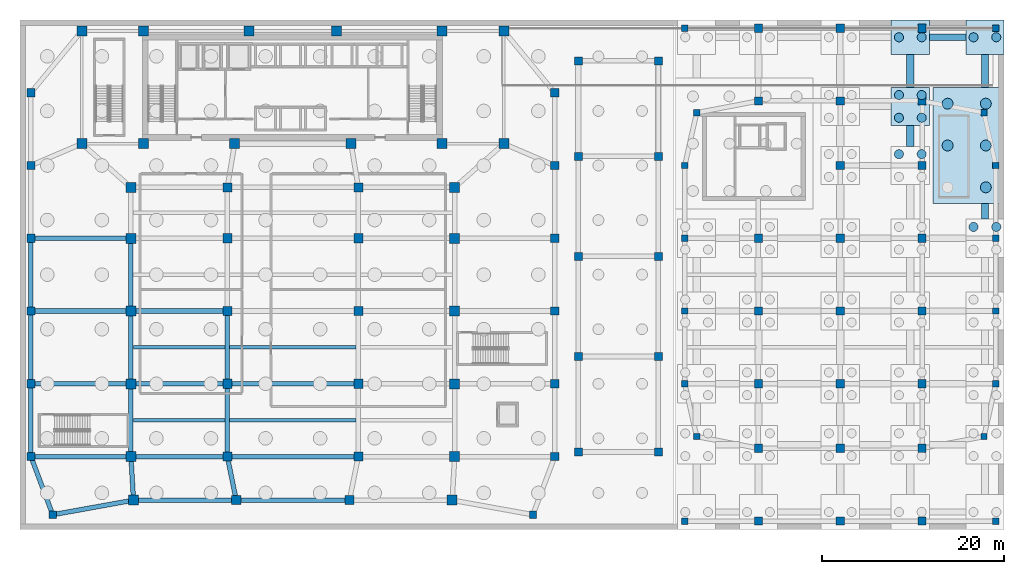
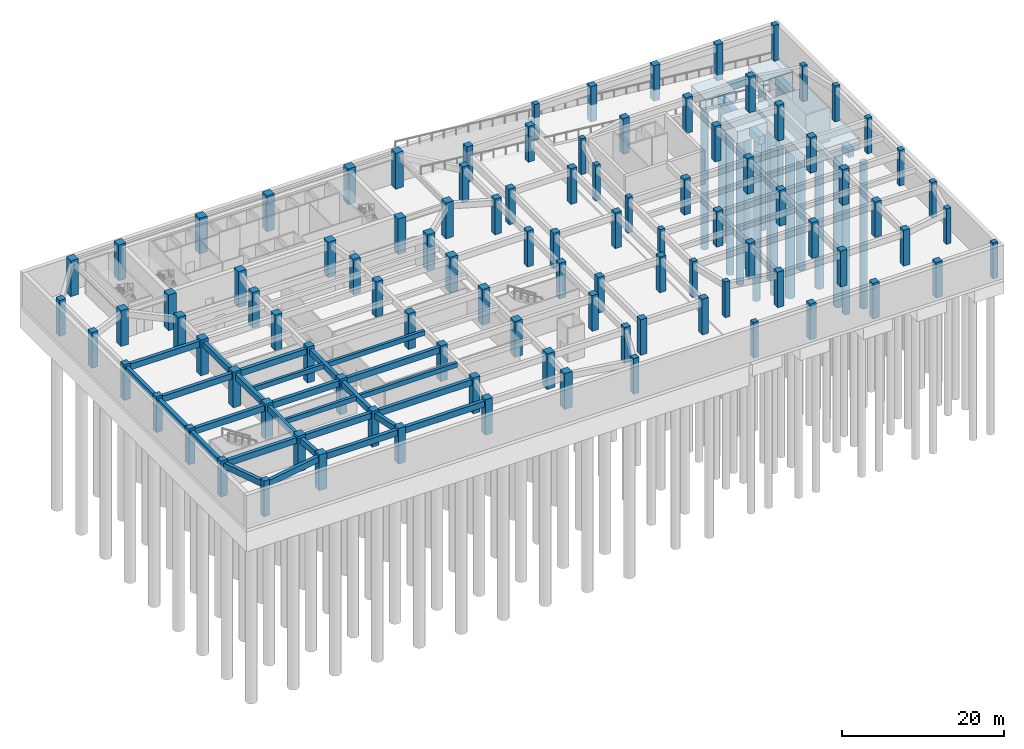
# One storey, part 3 of 18: 99 columns, 27 beams, 17 piles, 9 footings.
"""IFC4 building model written with IfcOpenShell, lengths in metres."""

from ifc_helpers import new_model, si_unit, direction, frame, origin, origin_2d, place, context, subcontext, project, spatial, polyline, rectangle, circle, outline, extrude, material, layer, layer_set, material_profile, profile_set, type_object, element, save


model = new_model("IFC4")

# Units and contexts
model_context = context("Model", 3, precision=1e-05, world=origin(), true_north=direction((0.0, 1.0)))
body_context = subcontext(model_context, "Body", "Model", "MODEL_VIEW")
ifc_project = project(units=[si_unit("LENGTHUNIT", "METRE"), si_unit("AREAUNIT", "SQUARE_METRE"), si_unit("VOLUMEUNIT", "CUBIC_METRE"), si_unit("PLANEANGLEUNIT", "RADIAN"), si_unit("MASSUNIT", "GRAM", prefix="KILO")], contexts=[model_context])

# Site, building, storey
site_placement = place(None, origin())
site = spatial("IfcSite", under=ifc_project, at=site_placement, CompositionType="ELEMENT")
building_placement = place(site_placement, origin())
building = spatial("IfcBuilding", under=site, at=building_placement, Name="Saevonmaru Cultural Tower", CompositionType="ELEMENT")
storey_placement = place(building_placement, frame((0.0, 0.0, -10.800048828125)))
storey = spatial("IfcBuildingStorey", under=building, at=storey_placement, Name="B2", CompositionType="ELEMENT", Elevation=-10.800048828125)

# Footings
ifc_material_1 = material(Name="Concrete C50/60", Category="concrete")
footing_type_1 = type_object("IfcFootingType", Name="FT-GB-800x1200", PredefinedType="STRIP_FOOTING", material=ifc_material_1)
footing_1_placement = place(storey_placement, frame((0.0, 0.0, -1.64990234375)))
element("IfcFooting", 1, at=footing_1_placement, inside=storey, type_object=footing_type_1, Name="Ground beam GB-23 Grid 12/F-G", PredefinedType="STRIP_FOOTING", context=body_context, shape_type="SweptSolid", body=[
    extrude(outline(polyline([(97.5, 42.10009765625), (98.300048828125, 42.10009765625), (98.300048828125, 44.39990234375), (97.5, 44.39990234375), (97.5, 42.10009765625)])), origin(), (0.0, 0.0, 1.0), 1.199951171875),
])
footing_2_placement = place(storey_placement, frame((0.0, 0.0, -1.64990234375)))
element("IfcFooting", 2, at=footing_2_placement, inside=storey, type_object=footing_type_1, Name="Ground beam GB-24 Grid 12/G-H", PredefinedType="STRIP_FOOTING", context=body_context, shape_type="SweptSolid", body=[
    extrude(outline(polyline([(97.5, 48.60009765625), (98.300048828125, 48.60009765625), (98.300048828125, 52.199951171875), (97.5, 52.199951171875), (97.5, 48.60009765625)])), origin(), (0.0, 0.0, 1.0), 1.199951171875),
])
footing_3_placement = place(storey_placement, frame((0.0, 0.0, -1.64990234375)))
element("IfcFooting", 3, at=footing_3_placement, inside=storey, type_object=footing_type_1, Name="Ground beam GB-29 Grid 13/E-F", PredefinedType="STRIP_FOOTING", context=body_context, shape_type="SweptSolid", body=[
    extrude(outline(polyline([(105.699951171875, 34.10009765625), (106.5, 34.10009765625), (106.5, 35.800048828125), (105.699951171875, 35.800048828125), (105.699951171875, 34.10009765625)])), origin(), (0.0, 0.0, 1.0), 1.199951171875),
])
footing_4_placement = place(storey_placement, frame((0.0, 0.0, -1.64990234375)))
element("IfcFooting", 4, at=footing_4_placement, inside=storey, type_object=footing_type_1, Name="Ground beam GB-30 Grid 13/G-H", PredefinedType="STRIP_FOOTING", context=body_context, shape_type="SweptSolid", body=[
    extrude(outline(polyline([(105.699951171875, 48.60009765625), (106.5, 48.60009765625), (106.5, 52.199951171875), (105.699951171875, 52.199951171875), (105.699951171875, 48.60009765625)])), origin(), (0.0, 0.0, 1.0), 1.199951171875),
])
ifc_layer_1 = layer(ifc_material_1, 1.800048828125, Name="Concrete C50/60")
ifc_layer_set_1 = layer_set([ifc_layer_1], Name="Concrete C50/60")
footing_type_2 = type_object("IfcFootingType", Name="FT-LCAP-4200", PredefinedType="PILE_CAP", material=ifc_layer_set_1)
footing_5_placement = place(storey_placement, frame((97.89990234375, 46.5, -2.25), z_axis=(0.0, 0.0, 1.0), x_axis=(1.0, 0.0, 0.0)))
element("IfcFooting", 5, at=footing_5_placement, inside=storey, type_object=footing_type_2, Name="Pile cap 12/G", PredefinedType="PILE_CAP", context=body_context, shape_type="SweptSolid", body=[
    extrude(rectangle(XDim=4.199951171875, YDim=4.199951171875, at=origin_2d()), origin(), (0.0, 0.0, 1.0), 1.800048828125),
])
ifc_layer_2 = layer(ifc_material_1, 1.800048828125, Name="Concrete C50/60")
ifc_layer_set_2 = layer_set([ifc_layer_2], Name="Concrete C50/60")
footing_type_3 = type_object("IfcFootingType", Name="FT-LCAP-EAST-STAIR", PredefinedType="PILE_CAP", material=ifc_layer_set_2)
footing_6_placement = place(storey_placement, frame((0.0, 0.0, -2.25)))
element("IfcFooting", 6, at=footing_6_placement, inside=storey, type_object=footing_type_3, Name="Central Library East Stair Combined Pile Cap PC-C2", PredefinedType="PILE_CAP", context=body_context, shape_type="SweptSolid", body=[
    extrude(outline(polyline([(100.39990234375, 35.800048828125), (108.199951171875, 35.800048828125), (108.199951171875, 48.60009765625), (100.39990234375, 48.60009765625), (100.39990234375, 35.800048828125)])), origin(), (0.0, 0.0, 1.0), 1.800048828125),
])
ifc_layer_3 = layer(ifc_material_1, 1.800048828125, Name="Concrete C50/60")
ifc_layer_set_3 = layer_set([ifc_layer_3], Name="Concrete C50/60")
footing_type_4 = type_object("IfcFootingType", Name="FT-LCAP-EDGE", PredefinedType="PILE_CAP", material=ifc_layer_set_3)
for number, where, z_axis, x_axis, name in (
    (7, (97.89990234375, 54.10009765625, -2.25), (0.0, 0.0, 1.0), (1.0, 0.0, 0.0), "Pile cap 12/H"),
    (8, (106.10009765625, 54.10009765625, -2.25), (0.0, 0.0, 1.0), (1.0, 0.0, 0.0), "Pile cap 13/H"),
):
    element("IfcFooting", number, at=place(storey_placement, frame(where, z_axis=z_axis, x_axis=x_axis)), inside=storey, type_object=footing_type_4, Name=name, PredefinedType="PILE_CAP", context=body_context, shape_type="SweptSolid", body=[
        extrude(rectangle(XDim=4.199951171875, YDim=3.800048828125, at=origin_2d()), origin(), (0.0, 0.0, 1.0), 1.800048828125),
    ])
footing_type_5 = type_object("IfcFootingType", Name="FT-TB-700x1100", PredefinedType="FOOTING_BEAM", material=ifc_material_1)
footing_7_placement = place(storey_placement, frame((0.0, 0.0, -1.550048828125)))
element("IfcFooting", 9, at=footing_7_placement, inside=storey, type_object=footing_type_5, Name="Tie footing beam TB-26 Grid H/12-13", PredefinedType="FOOTING_BEAM", context=body_context, shape_type="SweptSolid", body=[
    extrude(outline(polyline([(100.0, 53.75), (104.0, 53.75), (104.0, 54.449951171875), (100.0, 54.449951171875), (100.0, 53.75)])), origin(), (0.0, 0.0, 1.0), 1.10009765625),
])

# Piles
ifc_material_2 = material(Name="Concrete C40/50", Category="concrete")
ifc_material_profile_1 = material_profile(ifc_material_2, circle(Radius=0.5, at=origin_2d()), Name="PILE-D1000")
ifc_profile_set_1 = profile_set([ifc_material_profile_1], Name="Concrete C40/50")
pile_type_1 = type_object("IfcPileType", Name="PL-BORED-1000", PredefinedType="BORED", material=ifc_profile_set_1)
for number, where, z_axis, x_axis, name in (
    (10, (96.64990234375, 41.25, -2.14990234375), (0.0, 0.0, -1.0), (1.0, 0.0, 0.0), "Library bored pile BP3-089"),
    (11, (99.14990234375, 41.25, -2.14990234375), (0.0, 0.0, -1.0), (1.0, 0.0, 0.0), "Library bored pile BP3-090"),
    (12, (96.64990234375, 45.25, -2.14990234375), (0.0, 0.0, -1.0), (1.0, 0.0, 0.0), "Library bored pile BP3-091"),
    (13, (99.14990234375, 45.25, -2.14990234375), (0.0, 0.0, -1.0), (1.0, 0.0, 0.0), "Library bored pile BP3-092"),
    (14, (96.64990234375, 47.75, -2.14990234375), (0.0, 0.0, -1.0), (1.0, 0.0, 0.0), "Library bored pile BP3-093"),
    (15, (99.14990234375, 47.75, -2.14990234375), (0.0, 0.0, -1.0), (1.0, 0.0, 0.0), "Library bored pile BP3-094"),
    (16, (96.64990234375, 54.10009765625, -2.14990234375), (0.0, 0.0, -1.0), (1.0, 0.0, 0.0), "Library bored pile BP3-095"),
    (17, (99.14990234375, 54.10009765625, -2.14990234375), (0.0, 0.0, -1.0), (1.0, 0.0, 0.0), "Library bored pile BP3-096"),
    (18, (104.85009765625, 33.25, -2.14990234375), (0.0, 0.0, -1.0), (1.0, 0.0, 0.0), "Library bored pile BP3-113"),
    (19, (107.35009765625, 33.25, -2.14990234375), (0.0, 0.0, -1.0), (1.0, 0.0, 0.0), "Library bored pile BP3-114"),
    (20, (104.85009765625, 54.10009765625, -2.14990234375), (0.0, 0.0, -1.0), (1.0, 0.0, 0.0), "Library bored pile BP3-115"),
    (21, (107.35009765625, 54.10009765625, -2.14990234375), (0.0, 0.0, -1.0), (1.0, 0.0, 0.0), "Library bored pile BP3-116"),
):
    element("IfcPile", number, at=place(storey_placement, frame(where, z_axis=z_axis, x_axis=x_axis)), inside=storey, type_object=pile_type_1, Name=name, PredefinedType="BORED", context=body_context, shape_type="SweptSolid", body=[
        extrude(circle(Radius=0.5, at=origin_2d()), origin(), (0.0, 0.0, 1.0), 22.0),
    ])
ifc_material_profile_2 = material_profile(ifc_material_1, circle(Radius=0.60009765625, at=origin_2d()), Name="PILE-D1200")
ifc_profile_set_2 = profile_set([ifc_material_profile_2], Name="Concrete C50/60")
pile_type_2 = type_object("IfcPileType", Name="PL-BORED-1200", PredefinedType="BORED", material=ifc_profile_set_2)
for number, where, z_axis, x_axis, name in (
    (22, (102.0, 42.199951171875, -2.14990234375), (0.0, 0.0, -1.0), (1.0, 0.0, 0.0), "Library east stair bored pile BP2-L14"),
    (23, (102.0, 46.800048828125, -2.14990234375), (0.0, 0.0, -1.0), (1.0, 0.0, 0.0), "Library east stair bored pile BP2-L15"),
    (24, (106.199951171875, 37.60009765625, -2.14990234375), (0.0, 0.0, -1.0), (1.0, 0.0, 0.0), "Library east stair bored pile BP2-L16"),
    (25, (106.199951171875, 42.199951171875, -2.14990234375), (0.0, 0.0, -1.0), (1.0, 0.0, 0.0), "Library east stair bored pile BP2-L17"),
    (26, (106.199951171875, 46.800048828125, -2.14990234375), (0.0, 0.0, -1.0), (1.0, 0.0, 0.0), "Library east stair bored pile BP2-L18"),
):
    element("IfcPile", number, at=place(storey_placement, frame(where, z_axis=z_axis, x_axis=x_axis)), inside=storey, type_object=pile_type_2, Name=name, PredefinedType="BORED", context=body_context, shape_type="SweptSolid", body=[
        extrude(circle(Radius=0.60009765625, at=origin_2d()), origin(), (0.0, 0.0, 1.0), 24.0),
    ])

# Columns
ifc_material_3 = material(Name="Concrete C60/75", Category="concrete")
ifc_material_profile_3 = material_profile(ifc_material_3, rectangle(XDim=1.0, YDim=1.0, at=origin_2d()), Name="RC-COL-1000x1000")
ifc_profile_set_3 = profile_set([ifc_material_profile_3], Name="Concrete C60/75")
column_type_1 = type_object("IfcColumnType", Name="COL-RC-1000", PredefinedType="COLUMN", material=ifc_profile_set_3)
for number, where, z_axis, x_axis, name in (
    (27, (23.780029296875, 3.199951171875, 0.0), (0.0, 0.0, 1.0), (1.0, 0.0, 0.0), "B2 Column PC-W2-A"),
    (28, (36.219970703125, 3.199951171875, 0.0), (0.0, 0.0, 1.0), (1.0, 0.0, 0.0), "B2 Column PC-E2-A"),
    (29, (22.800048828125, 8.0, 0.0), (0.0, 0.0, 1.0), (1.0, 0.0, 0.0), "B2 Column PC-W2-B"),
    (30, (37.199951171875, 8.0, 0.0), (0.0, 0.0, 1.0), (1.0, 0.0, 0.0), "B2 Column PC-E2-B"),
    (31, (22.800048828125, 16.0, 0.0), (0.0, 0.0, 1.0), (1.0, 0.0, 0.0), "B2 Column PC-W2-C"),
    (32, (37.199951171875, 16.0, 0.0), (0.0, 0.0, 1.0), (1.0, 0.0, 0.0), "B2 Column PC-E2-C"),
    (33, (22.800048828125, 24.0, 0.0), (0.0, 0.0, 1.0), (1.0, 0.0, 0.0), "B2 Column PC-W2-D"),
    (34, (37.199951171875, 24.0, 0.0), (0.0, 0.0, 1.0), (1.0, 0.0, 0.0), "B2 Column PC-E2-D"),
    (35, (22.800048828125, 32.0, 0.0), (0.0, 0.0, 1.0), (1.0, 0.0, 0.0), "B2 Column PC-W2-E"),
    (36, (37.199951171875, 32.0, 0.0), (0.0, 0.0, 1.0), (1.0, 0.0, 0.0), "B2 Column PC-E2-E"),
    (37, (22.800048828125, 37.60009765625, 0.0), (0.0, 0.0, 1.0), (1.0, 0.0, 0.0), "B2 Column PC-W2-F"),
    (38, (37.199951171875, 37.60009765625, 0.0), (0.0, 0.0, 1.0), (1.0, 0.0, 0.0), "B2 Column PC-E2-F"),
):
    element("IfcColumn", number, at=place(storey_placement, frame(where, z_axis=z_axis, x_axis=x_axis)), inside=storey, type_object=column_type_1, Name=name, PredefinedType="COLUMN", context=body_context, shape_type="SweptSolid", body=[
        extrude(rectangle(XDim=1.0, YDim=1.0, at=origin_2d()), origin(), (0.0, 0.0, 1.0), 5.400146484375),
    ])
ifc_material_profile_4 = material_profile(ifc_material_3, rectangle(XDim=1.10009765625, YDim=1.10009765625, at=origin_2d()), Name="RC-COL-1100x1100")
ifc_profile_set_4 = profile_set([ifc_material_profile_4], Name="Concrete C60/75")
column_type_2 = type_object("IfcColumnType", Name="COL-RC-1100", PredefinedType="COLUMN", material=ifc_profile_set_4)
for number, where, z_axis, x_axis, name in (
    (39, (6.800048828125, 54.800048828125, 0.0), (0.0, 0.0, 1.0), (1.0, 0.0, 0.0), "B2 Column TC-N1N"),
    (40, (13.60009765625, 54.800048828125, 0.0), (0.0, 0.0, 1.0), (1.0, 0.0, 0.0), "B2 Column TC-N2N"),
    (41, (25.199951171875, 54.800048828125, 0.0), (0.0, 0.0, 1.0), (1.0, 0.0, 0.0), "B2 Column TC-N3N"),
    (42, (34.800048828125, 54.800048828125, 0.0), (0.0, 0.0, 1.0), (1.0, 0.0, 0.0), "B2 Column TC-N4N"),
    (43, (46.39990234375, 54.800048828125, 0.0), (0.0, 0.0, 1.0), (1.0, 0.0, 0.0), "B2 Column TC-N5N"),
    (44, (53.199951171875, 54.800048828125, 0.0), (0.0, 0.0, 1.0), (1.0, 0.0, 0.0), "B2 Column TC-N6N"),
    (45, (6.800048828125, 42.39990234375, 0.0), (0.0, 0.0, 1.0), (1.0, 0.0, 0.0), "B2 Column TC-S1C"),
    (46, (13.60009765625, 42.39990234375, 0.0), (0.0, 0.0, 1.0), (1.0, 0.0, 0.0), "B2 Column TC-S2C"),
    (47, (23.60009765625, 42.39990234375, 0.0), (0.0, 0.0, 1.0), (1.0, 0.0, 0.0), "B2 Column TC-S3C"),
    (48, (36.39990234375, 42.39990234375, 0.0), (0.0, 0.0, 1.0), (1.0, 0.0, 0.0), "B2 Column TC-S4C"),
    (49, (46.39990234375, 42.39990234375, 0.0), (0.0, 0.0, 1.0), (1.0, 0.0, 0.0), "B2 Column TC-S5C"),
    (50, (53.199951171875, 42.39990234375, 0.0), (0.0, 0.0, 1.0), (1.0, 0.0, 0.0), "B2 Column TC-S6C"),
    (51, (12.47998046875, 3.199951171875, 0.0), (0.0, 0.0, 1.0), (1.0, 0.0, 0.0), "B2 Column PC-W1-A"),
    (52, (47.52001953125, 3.199951171875, 0.0), (0.0, 0.0, 1.0), (1.0, 0.0, 0.0), "B2 Column PC-E1-A"),
    (53, (12.199951171875, 8.0, 0.0), (0.0, 0.0, 1.0), (1.0, 0.0, 0.0), "B2 Column PC-W1-B"),
    (54, (47.800048828125, 8.0, 0.0), (0.0, 0.0, 1.0), (1.0, 0.0, 0.0), "B2 Column PC-E1-B"),
    (55, (12.199951171875, 16.0, 0.0), (0.0, 0.0, 1.0), (1.0, 0.0, 0.0), "B2 Column PC-W1-C"),
    (56, (47.800048828125, 16.0, 0.0), (0.0, 0.0, 1.0), (1.0, 0.0, 0.0), "B2 Column PC-E1-C"),
    (57, (12.199951171875, 24.0, 0.0), (0.0, 0.0, 1.0), (1.0, 0.0, 0.0), "B2 Column PC-W1-D"),
    (58, (47.800048828125, 24.0, 0.0), (0.0, 0.0, 1.0), (1.0, 0.0, 0.0), "B2 Column PC-E1-D"),
    (59, (12.199951171875, 32.0, 0.0), (0.0, 0.0, 1.0), (1.0, 0.0, 0.0), "B2 Column PC-W1-E"),
    (60, (47.800048828125, 32.0, 0.0), (0.0, 0.0, 1.0), (1.0, 0.0, 0.0), "B2 Column PC-E1-E"),
    (61, (12.199951171875, 37.60009765625, 0.0), (0.0, 0.0, 1.0), (1.0, 0.0, 0.0), "B2 Column PC-W1-F"),
    (62, (47.800048828125, 37.60009765625, 0.0), (0.0, 0.0, 1.0), (1.0, 0.0, 0.0), "B2 Column PC-E1-F"),
):
    element("IfcColumn", number, at=place(storey_placement, frame(where, z_axis=z_axis, x_axis=x_axis)), inside=storey, type_object=column_type_2, Name=name, PredefinedType="COLUMN", context=body_context, shape_type="SweptSolid", body=[
        extrude(rectangle(XDim=1.10009765625, YDim=1.10009765625, at=origin_2d()), origin(), (0.0, 0.0, 1.0), 5.400146484375),
    ])
ifc_material_profile_5 = material_profile(ifc_material_1, rectangle(XDim=0.699951171875, YDim=0.699951171875, at=origin_2d()), Name="RC-COL-700x700")
ifc_profile_set_5 = profile_set([ifc_material_profile_5], Name="Concrete C50/60")
column_type_3 = type_object("IfcColumnType", Name="COL-RC-700", PredefinedType="COLUMN", material=ifc_profile_set_5)
for number, where, z_axis, x_axis, name in (
    (63, (73.10009765625, 0.89990234375, 0.0), (0.0, 0.0, 1.0), (1.0, 0.0, 0.0), "B2 Column LC-9-A"),
    (64, (74.39990234375, 10.199951171875, 0.0), (0.0, 0.0, 1.0), (1.0, 0.0, 0.0), "B2 Column LC-9-B"),
    (65, (73.10009765625, 16.0, 0.0), (0.0, 0.0, 1.0), (1.0, 0.0, 0.0), "B2 Column LC-9-C"),
    (66, (73.10009765625, 24.0, 0.0), (0.0, 0.0, 1.0), (1.0, 0.0, 0.0), "B2 Column LC-9-D"),
    (67, (73.10009765625, 32.0, 0.0), (0.0, 0.0, 1.0), (1.0, 0.0, 0.0), "B2 Column LC-9-E"),
    (68, (73.10009765625, 40.0, 0.0), (0.0, 0.0, 1.0), (1.0, 0.0, 0.0), "B2 Column LC-9-F"),
    (69, (74.39990234375, 45.800048828125, 0.0), (0.0, 0.0, 1.0), (1.0, 0.0, 0.0), "B2 Column LC-9-G"),
    (70, (73.10009765625, 55.10009765625, 0.0), (0.0, 0.0, 1.0), (1.0, 0.0, 0.0), "B2 Column LC-9-H"),
    (71, (107.300048828125, 0.89990234375, 0.0), (0.0, 0.0, 1.0), (1.0, 0.0, 0.0), "B2 Column LC-13-A"),
    (72, (106.0, 10.199951171875, 0.0), (0.0, 0.0, 1.0), (1.0, 0.0, 0.0), "B2 Column LC-13-B"),
    (73, (107.300048828125, 16.0, 0.0), (0.0, 0.0, 1.0), (1.0, 0.0, 0.0), "B2 Column LC-13-C"),
    (74, (107.300048828125, 24.0, 0.0), (0.0, 0.0, 1.0), (1.0, 0.0, 0.0), "B2 Column LC-13-D"),
    (75, (107.300048828125, 32.0, 0.0), (0.0, 0.0, 1.0), (1.0, 0.0, 0.0), "B2 Column LC-13-E"),
    (76, (107.300048828125, 40.0, 0.0), (0.0, 0.0, 1.0), (1.0, 0.0, 0.0), "B2 Column LC-13-F"),
    (77, (106.0, 45.800048828125, 0.0), (0.0, 0.0, 1.0), (1.0, 0.0, 0.0), "B2 Column LC-13-G"),
    (78, (107.300048828125, 55.10009765625, 0.0), (0.0, 0.0, 1.0), (1.0, 0.0, 0.0), "B2 Column LC-13-H"),
):
    element("IfcColumn", number, at=place(storey_placement, frame(where, z_axis=z_axis, x_axis=x_axis)), inside=storey, type_object=column_type_3, Name=name, PredefinedType="COLUMN", context=body_context, shape_type="SweptSolid", body=[
        extrude(rectangle(XDim=0.699951171875, YDim=0.699951171875, at=origin_2d()), origin(), (0.0, 0.0, 1.0), 5.400146484375),
    ])
ifc_material_profile_6 = material_profile(ifc_material_1, rectangle(XDim=0.800048828125, YDim=0.800048828125, at=origin_2d()), Name="RC-COL-800x800")
ifc_profile_set_6 = profile_set([ifc_material_profile_6], Name="Concrete C50/60")
column_type_4 = type_object("IfcColumnType", Name="COL-RC-800", PredefinedType="COLUMN", material=ifc_profile_set_6)
for number, where, z_axis, x_axis, name in (
    (79, (3.60009765625, 1.60009765625, 0.0), (0.0, 0.0, 1.0), (1.0, 0.0, 0.0), "B2 Column PC-PS-SW"),
    (80, (56.39990234375, 1.60009765625, 0.0), (0.0, 0.0, 1.0), (1.0, 0.0, 0.0), "B2 Column PC-PS-SE"),
):
    element("IfcColumn", number, at=place(storey_placement, frame(where, z_axis=z_axis, x_axis=x_axis)), inside=storey, type_object=column_type_4, Name=name, PredefinedType="COLUMN", context=body_context, shape_type="SweptSolid", body=[
        extrude(rectangle(XDim=0.800048828125, YDim=0.800048828125, at=origin_2d()), origin(), (0.0, 0.0, 1.0), 5.400146484375),
    ])
ifc_material_profile_7 = material_profile(ifc_material_1, rectangle(XDim=0.89990234375, YDim=0.89990234375, at=origin_2d()), Name="RC-COL-900x900")
ifc_profile_set_7 = profile_set([ifc_material_profile_7], Name="Concrete C50/60")
column_type_5 = type_object("IfcColumnType", Name="COL-RC-900", PredefinedType="COLUMN", material=ifc_profile_set_7)
for number, where, z_axis, x_axis, name in (
    (81, (1.199951171875, 8.0, 0.0), (0.0, 0.0, 1.0), (1.0, 0.0, 0.0), "B2 Column PC-PW-B"),
    (82, (58.800048828125, 8.0, 0.0), (0.0, 0.0, 1.0), (1.0, 0.0, 0.0), "B2 Column PC-PE-B"),
    (83, (1.199951171875, 16.0, 0.0), (0.0, 0.0, 1.0), (1.0, 0.0, 0.0), "B2 Column PC-PW-C"),
    (84, (58.800048828125, 16.0, 0.0), (0.0, 0.0, 1.0), (1.0, 0.0, 0.0), "B2 Column PC-PE-C"),
    (85, (1.199951171875, 24.0, 0.0), (0.0, 0.0, 1.0), (1.0, 0.0, 0.0), "B2 Column PC-PW-D"),
    (86, (58.800048828125, 24.0, 0.0), (0.0, 0.0, 1.0), (1.0, 0.0, 0.0), "B2 Column PC-PE-D"),
    (87, (1.199951171875, 32.0, 0.0), (0.0, 0.0, 1.0), (1.0, 0.0, 0.0), "B2 Column PC-PW-E"),
    (88, (58.800048828125, 32.0, 0.0), (0.0, 0.0, 1.0), (1.0, 0.0, 0.0), "B2 Column PC-PE-E"),
    (89, (1.199951171875, 40.0, 0.0), (0.0, 0.0, 1.0), (1.0, 0.0, 0.0), "B2 Column PC-PW-F"),
    (90, (58.800048828125, 40.0, 0.0), (0.0, 0.0, 1.0), (1.0, 0.0, 0.0), "B2 Column PC-PE-F"),
    (91, (1.199951171875, 48.0, 0.0), (0.0, 0.0, 1.0), (1.0, 0.0, 0.0), "B2 Column PC-PW-G"),
    (92, (58.800048828125, 48.0, 0.0), (0.0, 0.0, 1.0), (1.0, 0.0, 0.0), "B2 Column PC-PE-G"),
    (93, (61.39990234375, 8.5, 0.0), (0.0, 0.0, 1.0), (1.0, 0.0, 0.0), "B2 Column SC-PLZW-B"),
    (94, (70.199951171875, 8.5, 0.0), (0.0, 0.0, 1.0), (1.0, 0.0, 0.0), "B2 Column SC-PLZE-B"),
    (95, (61.39990234375, 19.0, 0.0), (0.0, 0.0, 1.0), (1.0, 0.0, 0.0), "B2 Column SC-PLZW-C"),
    (96, (70.199951171875, 19.0, 0.0), (0.0, 0.0, 1.0), (1.0, 0.0, 0.0), "B2 Column SC-PLZE-C"),
    (97, (61.39990234375, 30.0, 0.0), (0.0, 0.0, 1.0), (1.0, 0.0, 0.0), "B2 Column SC-PLZW-D"),
    (98, (70.199951171875, 30.0, 0.0), (0.0, 0.0, 1.0), (1.0, 0.0, 0.0), "B2 Column SC-PLZE-D"),
    (99, (61.39990234375, 41.0, 0.0), (0.0, 0.0, 1.0), (1.0, 0.0, 0.0), "B2 Column SC-PLZW-E"),
    (100, (70.199951171875, 41.0, 0.0), (0.0, 0.0, 1.0), (1.0, 0.0, 0.0), "B2 Column SC-PLZE-E"),
    (101, (61.39990234375, 51.5, 0.0), (0.0, 0.0, 1.0), (1.0, 0.0, 0.0), "B2 Column SC-PLZW-F"),
    (102, (70.199951171875, 51.5, 0.0), (0.0, 0.0, 1.0), (1.0, 0.0, 0.0), "B2 Column SC-PLZE-F"),
    (103, (81.199951171875, 0.89990234375, 0.0), (0.0, 0.0, 1.0), (1.0, 0.0, 0.0), "B2 Column LC-10-A"),
    (104, (81.199951171875, 8.89990234375, 0.0), (0.0, 0.0, 1.0), (1.0, 0.0, 0.0), "B2 Column LC-10-B"),
    (105, (81.199951171875, 16.0, 0.0), (0.0, 0.0, 1.0), (1.0, 0.0, 0.0), "B2 Column LC-10-C"),
    (106, (81.199951171875, 24.0, 0.0), (0.0, 0.0, 1.0), (1.0, 0.0, 0.0), "B2 Column LC-10-D"),
    (107, (81.199951171875, 32.0, 0.0), (0.0, 0.0, 1.0), (1.0, 0.0, 0.0), "B2 Column LC-10-E"),
    (108, (81.199951171875, 47.10009765625, 0.0), (0.0, 0.0, 1.0), (1.0, 0.0, 0.0), "B2 Column LC-10-G"),
    (109, (81.199951171875, 55.10009765625, 0.0), (0.0, 0.0, 1.0), (1.0, 0.0, 0.0), "B2 Column LC-10-H"),
    (110, (90.199951171875, 0.89990234375, 0.0), (0.0, 0.0, 1.0), (1.0, 0.0, 0.0), "B2 Column LC-11-A"),
    (111, (90.199951171875, 8.89990234375, 0.0), (0.0, 0.0, 1.0), (1.0, 0.0, 0.0), "B2 Column LC-11-B"),
    (112, (90.199951171875, 16.0, 0.0), (0.0, 0.0, 1.0), (1.0, 0.0, 0.0), "B2 Column LC-11-C"),
    (113, (90.199951171875, 24.0, 0.0), (0.0, 0.0, 1.0), (1.0, 0.0, 0.0), "B2 Column LC-11-D"),
    (114, (90.199951171875, 32.0, 0.0), (0.0, 0.0, 1.0), (1.0, 0.0, 0.0), "B2 Column LC-11-E"),
    (115, (90.199951171875, 40.0, 0.0), (0.0, 0.0, 1.0), (1.0, 0.0, 0.0), "B2 Column LC-11-F"),
    (116, (90.199951171875, 47.10009765625, 0.0), (0.0, 0.0, 1.0), (1.0, 0.0, 0.0), "B2 Column LC-11-G"),
    (117, (90.199951171875, 55.10009765625, 0.0), (0.0, 0.0, 1.0), (1.0, 0.0, 0.0), "B2 Column LC-11-H"),
    (118, (99.199951171875, 0.89990234375, 0.0), (0.0, 0.0, 1.0), (1.0, 0.0, 0.0), "B2 Column LC-12-A"),
    (119, (99.199951171875, 8.89990234375, 0.0), (0.0, 0.0, 1.0), (1.0, 0.0, 0.0), "B2 Column LC-12-B"),
    (120, (99.199951171875, 16.0, 0.0), (0.0, 0.0, 1.0), (1.0, 0.0, 0.0), "B2 Column LC-12-C"),
    (121, (99.199951171875, 24.0, 0.0), (0.0, 0.0, 1.0), (1.0, 0.0, 0.0), "B2 Column LC-12-D"),
    (122, (99.199951171875, 32.0, 0.0), (0.0, 0.0, 1.0), (1.0, 0.0, 0.0), "B2 Column LC-12-E"),
    (123, (99.199951171875, 40.0, 0.0), (0.0, 0.0, 1.0), (1.0, 0.0, 0.0), "B2 Column LC-12-F"),
    (124, (99.199951171875, 47.10009765625, 0.0), (0.0, 0.0, 1.0), (1.0, 0.0, 0.0), "B2 Column LC-12-G"),
    (125, (99.199951171875, 55.10009765625, 0.0), (0.0, 0.0, 1.0), (1.0, 0.0, 0.0), "B2 Column LC-12-H"),
):
    element("IfcColumn", number, at=place(storey_placement, frame(where, z_axis=z_axis, x_axis=x_axis)), inside=storey, type_object=column_type_5, Name=name, PredefinedType="COLUMN", context=body_context, shape_type="SweptSolid", body=[
        extrude(rectangle(XDim=0.89990234375, YDim=0.89990234375, at=origin_2d()), origin(), (0.0, 0.0, 1.0), 5.400146484375),
    ])

# Beams
ifc_material_profile_8 = material_profile(ifc_material_2, rectangle(XDim=0.39990234375, YDim=0.699951171875, at=origin_2d()), Name="RC-BM-400x700")
ifc_profile_set_8 = profile_set([ifc_material_profile_8], Name="Concrete C40/50")
beam_type_1 = type_object("IfcBeamType", Name="BM-RC-400x700", PredefinedType="BEAM", material=ifc_profile_set_8)
beam_1_placement = place(storey_placement, frame((12.4580078125, 12.0, 4.699951171875), z_axis=(1.0, 0.0, 0.0), x_axis=(0.0, 1.0, 0.0)))
element("IfcBeam", 126, at=beam_1_placement, inside=storey, type_object=beam_type_1, Name="B2 Secondary Floor Joist JW-1", PredefinedType="BEAM", context=body_context, shape_type="SweptSolid", body=[
    extrude(rectangle(XDim=0.39990234375, YDim=0.699951171875, at=origin_2d()), origin(), (0.0, 0.0, 1.0), 10.083984375),
])
beam_2_placement = place(storey_placement, frame((23.05810546875, 12.0, 4.699951171875), z_axis=(1.0, 0.0, 0.0), x_axis=(0.0, 1.0, 0.0)))
element("IfcBeam", 127, at=beam_2_placement, inside=storey, type_object=beam_type_1, Name="B2 Secondary Floor Joist JC-1", PredefinedType="BEAM", context=body_context, shape_type="SweptSolid", body=[
    extrude(rectangle(XDim=0.39990234375, YDim=0.699951171875, at=origin_2d()), origin(), (0.0, 0.0, 1.0), 13.8837890625),
])
beam_3_placement = place(storey_placement, frame((12.4580078125, 20.0, 4.699951171875), z_axis=(1.0, 0.0, 0.0), x_axis=(0.0, 1.0, 0.0)))
element("IfcBeam", 128, at=beam_3_placement, inside=storey, type_object=beam_type_1, Name="B2 Secondary Floor Joist JW-2", PredefinedType="BEAM", context=body_context, shape_type="SweptSolid", body=[
    extrude(rectangle(XDim=0.39990234375, YDim=0.699951171875, at=origin_2d()), origin(), (0.0, 0.0, 1.0), 10.083984375),
])
beam_4_placement = place(storey_placement, frame((23.05810546875, 20.0, 4.699951171875), z_axis=(1.0, 0.0, 0.0), x_axis=(0.0, 1.0, 0.0)))
element("IfcBeam", 129, at=beam_4_placement, inside=storey, type_object=beam_type_1, Name="B2 Secondary Floor Joist JC-2", PredefinedType="BEAM", context=body_context, shape_type="SweptSolid", body=[
    extrude(rectangle(XDim=0.39990234375, YDim=0.699951171875, at=origin_2d()), origin(), (0.0, 0.0, 1.0), 13.8837890625),
])
ifc_material_profile_9 = material_profile(ifc_material_1, rectangle(XDim=0.5, YDim=0.89990234375, at=origin_2d()), Name="RC-BM-500x900")
ifc_profile_set_9 = profile_set([ifc_material_profile_9], Name="Concrete C50/60")
beam_type_2 = type_object("IfcBeamType", Name="BM-RC-500x900", PredefinedType="BEAM", material=ifc_profile_set_9)
beam_5_placement = place(storey_placement, frame((12.4765625, 3.260009765625, 4.60009765625), z_axis=(-0.058221363278, 0.998303697708, 0.0), x_axis=(-0.998303697708, -0.058221363278, 0.0)))
element("IfcBeam", 130, at=beam_5_placement, inside=storey, type_object=beam_type_2, Name="B2 Podium Girder NS1-1", PredefinedType="BEAM", context=body_context, shape_type="SweptSolid", body=[
    extrude(rectangle(XDim=0.5, YDim=0.89990234375, at=origin_2d()), origin(), (0.0, 0.0, 1.0), 4.688232421875),
])
for number, where, z_axis, x_axis, name in (
    (131, (12.199951171875, 8.06005859375, 4.60009765625), (0.0, 1.0, 0.0), (-1.0, 0.0, 0.0), "B2 Podium Girder NS1-2"),
    (132, (12.199951171875, 16.06005859375, 4.60009765625), (0.0, 1.0, 0.0), (-1.0, 0.0, 0.0), "B2 Podium Girder NS1-3"),
    (133, (12.199951171875, 24.06005859375, 4.60009765625), (0.0, 1.0, 0.0), (-1.0, 0.0, 0.0), "B2 Podium Girder NS1-4"),
):
    element("IfcBeam", number, at=place(storey_placement, frame(where, z_axis=z_axis, x_axis=x_axis)), inside=storey, type_object=beam_type_2, Name=name, PredefinedType="BEAM", context=body_context, shape_type="SweptSolid", body=[
        extrude(rectangle(XDim=0.5, YDim=0.89990234375, at=origin_2d()), origin(), (0.0, 0.0, 1.0), 7.8798828125),
    ])
beam_6_placement = place(storey_placement, frame((23.76806640625, 3.2587890625, 4.60009765625), z_axis=(-0.200054094908, 0.979784853481, 0.0), x_axis=(-0.979784853481, -0.200054094908, 0.0)))
element("IfcBeam", 134, at=beam_6_placement, inside=storey, type_object=beam_type_2, Name="B2 Podium Girder NS2-1", PredefinedType="BEAM", context=body_context, shape_type="SweptSolid", body=[
    extrude(rectangle(XDim=0.5, YDim=0.89990234375, at=origin_2d()), origin(), (0.0, 0.0, 1.0), 4.779052734375),
])
for number, where, z_axis, x_axis, name in (
    (135, (22.800048828125, 8.06005859375, 4.60009765625), (0.0, 1.0, 0.0), (-1.0, 0.0, 0.0), "B2 Podium Girder NS2-2"),
    (136, (22.800048828125, 16.06005859375, 4.60009765625), (0.0, 1.0, 0.0), (-1.0, 0.0, 0.0), "B2 Podium Girder NS2-3"),
):
    element("IfcBeam", number, at=place(storey_placement, frame(where, z_axis=z_axis, x_axis=x_axis)), inside=storey, type_object=beam_type_2, Name=name, PredefinedType="BEAM", context=body_context, shape_type="SweptSolid", body=[
        extrude(rectangle(XDim=0.5, YDim=0.89990234375, at=origin_2d()), origin(), (0.0, 0.0, 1.0), 7.8798828125),
    ])
beam_7_placement = place(storey_placement, frame((12.5400390625, 3.199951171875, 4.60009765625), z_axis=(1.0, 0.0, 0.0), x_axis=(0.0, 1.0, 0.0)))
element("IfcBeam", 137, at=beam_7_placement, inside=storey, type_object=beam_type_2, Name="BM-POD-EW-W-0-B2", PredefinedType="BEAM", context=body_context, shape_type="SweptSolid", body=[
    extrude(rectangle(XDim=0.5, YDim=0.89990234375, at=origin_2d()), origin(), (0.0, 0.0, 1.0), 11.179931640625),
])
beam_8_placement = place(storey_placement, frame((23.840087890625, 3.199951171875, 4.60009765625), z_axis=(1.0, 0.0, 0.0), x_axis=(0.0, 1.0, 0.0)))
element("IfcBeam", 138, at=beam_8_placement, inside=storey, type_object=beam_type_2, Name="BM-POD-EW-C-0-B2", PredefinedType="BEAM", context=body_context, shape_type="SweptSolid", body=[
    extrude(rectangle(XDim=0.5, YDim=0.89990234375, at=origin_2d()), origin(), (0.0, 0.0, 1.0), 12.31982421875),
])
beam_9_placement = place(storey_placement, frame((12.260009765625, 8.0, 4.60009765625), z_axis=(1.0, 0.0, 0.0), x_axis=(0.0, 1.0, 0.0)))
element("IfcBeam", 139, at=beam_9_placement, inside=storey, type_object=beam_type_2, Name="B2 Gallery Girder W-1", PredefinedType="BEAM", context=body_context, shape_type="SweptSolid", body=[
    extrude(rectangle(XDim=0.5, YDim=0.89990234375, at=origin_2d()), origin(), (0.0, 0.0, 1.0), 10.47998046875),
])
beam_10_placement = place(storey_placement, frame((22.860107421875, 8.0, 4.60009765625), z_axis=(1.0, 0.0, 0.0), x_axis=(0.0, 1.0, 0.0)))
element("IfcBeam", 140, at=beam_10_placement, inside=storey, type_object=beam_type_2, Name="B2 Long-Span Hall Girder C-1", PredefinedType="BEAM", context=body_context, shape_type="SweptSolid", body=[
    extrude(rectangle(XDim=0.5, YDim=0.89990234375, at=origin_2d()), origin(), (0.0, 0.0, 1.0), 14.27978515625),
])
beam_11_placement = place(storey_placement, frame((12.260009765625, 16.0, 4.60009765625), z_axis=(1.0, 0.0, 0.0), x_axis=(0.0, 1.0, 0.0)))
element("IfcBeam", 141, at=beam_11_placement, inside=storey, type_object=beam_type_2, Name="B2 Gallery Girder W-2", PredefinedType="BEAM", context=body_context, shape_type="SweptSolid", body=[
    extrude(rectangle(XDim=0.5, YDim=0.89990234375, at=origin_2d()), origin(), (0.0, 0.0, 1.0), 10.47998046875),
])
beam_12_placement = place(storey_placement, frame((22.860107421875, 16.0, 4.60009765625), z_axis=(1.0, 0.0, 0.0), x_axis=(0.0, 1.0, 0.0)))
element("IfcBeam", 142, at=beam_12_placement, inside=storey, type_object=beam_type_2, Name="B2 Long-Span Hall Girder C-2", PredefinedType="BEAM", context=body_context, shape_type="SweptSolid", body=[
    extrude(rectangle(XDim=0.5, YDim=0.89990234375, at=origin_2d()), origin(), (0.0, 0.0, 1.0), 14.27978515625),
])
beam_13_placement = place(storey_placement, frame((12.260009765625, 24.0, 4.60009765625), z_axis=(1.0, 0.0, 0.0), x_axis=(0.0, 1.0, 0.0)))
element("IfcBeam", 143, at=beam_13_placement, inside=storey, type_object=beam_type_2, Name="B2 Gallery Girder W-3", PredefinedType="BEAM", context=body_context, shape_type="SweptSolid", body=[
    extrude(rectangle(XDim=0.5, YDim=0.89990234375, at=origin_2d()), origin(), (0.0, 0.0, 1.0), 10.47998046875),
])
for number, where, z_axis, x_axis, name in (
    (144, (1.260009765625, 8.0, 4.60009765625), (1.0, 0.0, 0.0), (0.0, 1.0, 0.0), "BM-POD-OW-1-B2"),
    (145, (1.260009765625, 16.0, 4.60009765625), (1.0, 0.0, 0.0), (0.0, 1.0, 0.0), "BM-POD-OW-2-B2"),
    (146, (1.260009765625, 24.0, 4.60009765625), (1.0, 0.0, 0.0), (0.0, 1.0, 0.0), "BM-POD-OW-3-B2"),
    (147, (1.260009765625, 32.0, 4.60009765625), (1.0, 0.0, 0.0), (0.0, 1.0, 0.0), "BM-POD-OW-4-B2"),
):
    element("IfcBeam", number, at=place(storey_placement, frame(where, z_axis=z_axis, x_axis=x_axis)), inside=storey, type_object=beam_type_2, Name=name, PredefinedType="BEAM", context=body_context, shape_type="SweptSolid", body=[
        extrude(rectangle(XDim=0.5, YDim=0.89990234375, at=origin_2d()), origin(), (0.0, 0.0, 1.0), 10.8798828125),
    ])
for number, where, z_axis, x_axis, name in (
    (148, (1.199951171875, 8.06005859375, 4.60009765625), (0.0, 1.0, 0.0), (-1.0, 0.0, 0.0), "BM-POD-PW-1-B2"),
    (149, (1.199951171875, 16.06005859375, 4.60009765625), (0.0, 1.0, 0.0), (-1.0, 0.0, 0.0), "BM-POD-PW-2-B2"),
    (150, (1.199951171875, 24.06005859375, 4.60009765625), (0.0, 1.0, 0.0), (-1.0, 0.0, 0.0), "BM-POD-PW-3-B2"),
):
    element("IfcBeam", number, at=place(storey_placement, frame(where, z_axis=z_axis, x_axis=x_axis)), inside=storey, type_object=beam_type_2, Name=name, PredefinedType="BEAM", context=body_context, shape_type="SweptSolid", body=[
        extrude(rectangle(XDim=0.5, YDim=0.89990234375, at=origin_2d()), origin(), (0.0, 0.0, 1.0), 7.8798828125),
    ])
beam_14_placement = place(storey_placement, frame((3.658935546875, 1.610595703125, 4.60009765625), z_axis=(0.984149934695, 0.177338394151, 0.0), x_axis=(-0.177338394151, 0.984149934695, 0.0)))
element("IfcBeam", 151, at=beam_14_placement, inside=storey, type_object=beam_type_2, Name="BM-POD-PS-1-B2", PredefinedType="BEAM", context=body_context, shape_type="SweptSolid", body=[
    extrude(rectangle(XDim=0.5, YDim=0.89990234375, at=origin_2d()), origin(), (0.0, 0.0, 1.0), 8.903076171875),
])
beam_15_placement = place(storey_placement, frame((3.578857421875, 1.65625, 4.60009765625), z_axis=(-0.351099535502, 0.936338142003, 0.0), x_axis=(-0.936338142003, -0.351099535502, 0.0)))
element("IfcBeam", 152, at=beam_15_placement, inside=storey, type_object=beam_type_2, Name="BM-POD-PS-3-B2", PredefinedType="BEAM", context=body_context, shape_type="SweptSolid", body=[
    extrude(rectangle(XDim=0.5, YDim=0.89990234375, at=origin_2d()), origin(), (0.0, 0.0, 1.0), 6.715087890625),
])

save(model, "model.ifc")
